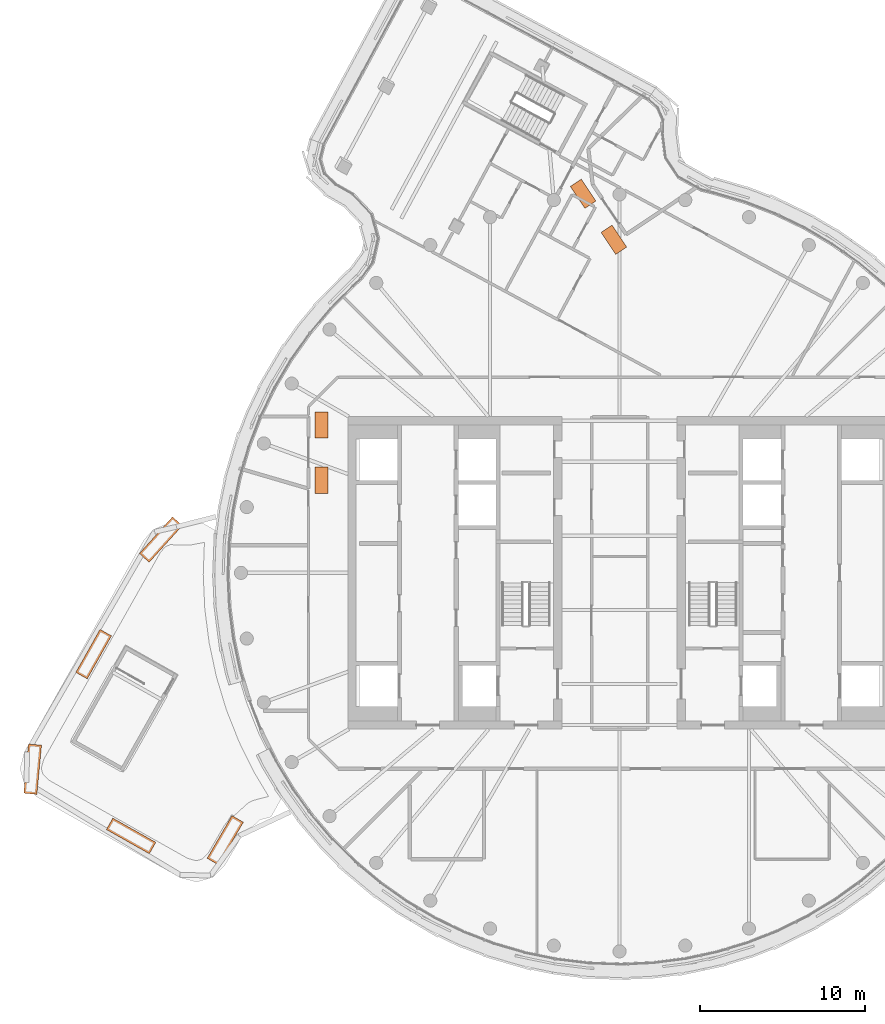
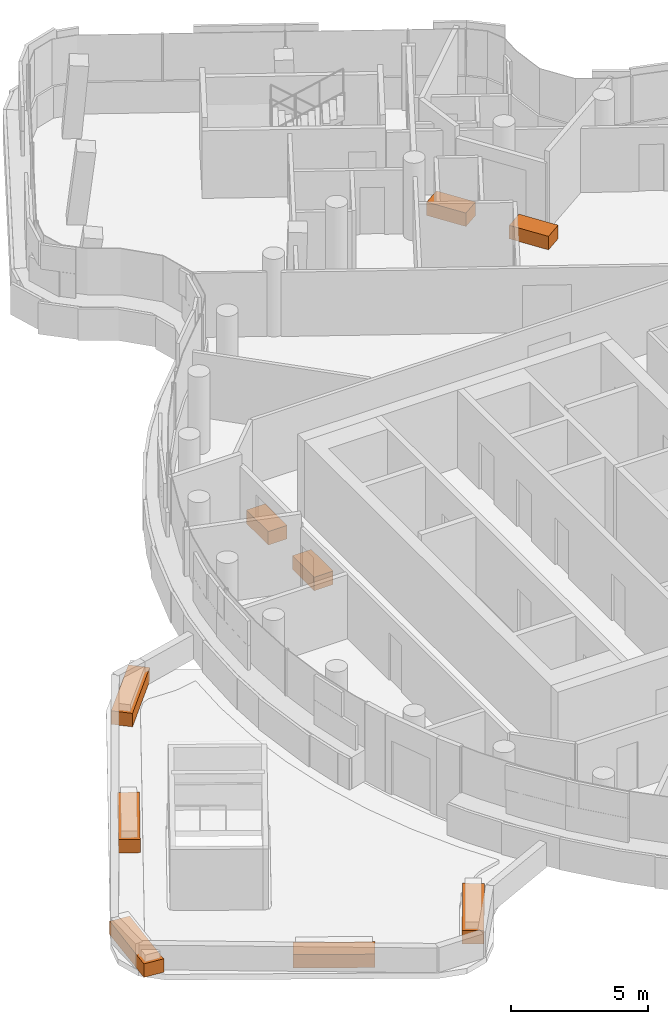
# One storey, part 22 of 22: 9 proxies.
"""IFC4 building model written with IfcOpenShell, lengths in metres."""

from ifc_helpers import new_model, si_unit, direction, frame, origin, origin_2d, place, context, subcontext, project, spatial, rectangle, extrude, material, type_object, element, save


model = new_model("IFC4")

# Units and contexts
model_context = context("Model", 3, precision=1e-05, world=origin(), true_north=direction((0.0, 1.0)))
body_context = subcontext(model_context, "Body", "Model", "MODEL_VIEW")
ifc_project = project(units=[si_unit("LENGTHUNIT", "METRE"), si_unit("AREAUNIT", "SQUARE_METRE"), si_unit("VOLUMEUNIT", "CUBIC_METRE"), si_unit("PLANEANGLEUNIT", "RADIAN"), si_unit("MASSUNIT", "GRAM", prefix="KILO")], contexts=[model_context])

# Site, building, storey
site_placement = place(None, origin())
site = spatial("IfcSite", under=ifc_project, at=site_placement, CompositionType="ELEMENT")
building_placement = place(site_placement, origin())
building = spatial("IfcBuilding", under=site, at=building_placement, Name="Tamarind Cross Interchange Tower", CompositionType="ELEMENT")
storey_placement = place(building_placement, frame((0.0, 0.0, 256.800048828125)))
storey = spatial("IfcBuildingStorey", under=building, at=storey_placement, Name="L65", CompositionType="ELEMENT", Elevation=256.800048828125)

# Proxies
ifc_material = material(Name="Concrete C30", Category="concrete")
building_element_proxy_type = type_object("IfcBuildingElementProxyType", Name="Planter", PredefinedType="USERDEFINED", material=ifc_material)
proxy_1_placement = place(storey_placement, origin())
element("IfcBuildingElementProxy", 1, at=proxy_1_placement, inside=storey, type_object=building_element_proxy_type, Name="PLT-L65-WG-L65-NNa-0", ObjectType="Planter", PredefinedType="USERDEFINED", context=body_context, shape_type="SweptSolid", body=[
    extrude(rectangle(XDim=1.60009765625, YDim=0.800048828125, at=origin_2d()), frame((-18.10009765625, 8.988037109375, 0.0), z_axis=(0.0, 0.0, 1.0), x_axis=(0.0, -1.0, 0.0)), (0.0, 0.0, 1.0), 0.60009765625),
])
proxy_2_placement = place(storey_placement, origin())
element("IfcBuildingElementProxy", 2, at=proxy_2_placement, inside=storey, type_object=building_element_proxy_type, Name="PLT-L65-WG-L65-NNa-1", ObjectType="Planter", PredefinedType="USERDEFINED", context=body_context, shape_type="SweptSolid", body=[
    extrude(rectangle(XDim=1.60009765625, YDim=0.800048828125, at=origin_2d()), frame((-18.10009765625, 5.6279296875, 0.0), z_axis=(0.0, 0.0, 1.0), x_axis=(0.0, -1.0, 0.0)), (0.0, 0.0, 1.0), 0.60009765625),
])
proxy_3_placement = place(storey_placement, origin())
element("IfcBuildingElementProxy", 3, at=proxy_3_placement, inside=storey, type_object=building_element_proxy_type, Name="PLT-L65-WG-L65-NNb-0", ObjectType="Planter", PredefinedType="USERDEFINED", context=body_context, shape_type="SweptSolid", body=[
    extrude(rectangle(XDim=1.60009765625, YDim=0.800048828125, at=origin_2d()), frame((-0.343505859375, 20.241943359375, 0.0), z_axis=(0.0, 0.0, 1.0), x_axis=(-0.55638263294, 0.830926209577, 0.0)), (0.0, 0.0, 1.0), 0.60009765625),
])
proxy_4_placement = place(storey_placement, origin())
element("IfcBuildingElementProxy", 4, at=proxy_4_placement, inside=storey, type_object=building_element_proxy_type, Name="PLT-L65-WG-L65-NNb-1", ObjectType="Planter", PredefinedType="USERDEFINED", context=body_context, shape_type="SweptSolid", body=[
    extrude(rectangle(XDim=1.60009765625, YDim=0.800048828125, at=origin_2d()), frame((-2.212890625, 23.033935546875, 0.0), z_axis=(0.0, 0.0, 1.0), x_axis=(-0.55638263294, 0.830926209577, 0.0)), (0.0, 0.0, 1.0), 0.60009765625),
])
proxy_5_placement = place(storey_placement, origin())
element("IfcBuildingElementProxy", 5, at=proxy_5_placement, inside=storey, type_object=building_element_proxy_type, Name="PLT-L65-RTW0-00", ObjectType="Planter", PredefinedType="USERDEFINED", context=body_context, shape_type="SweptSolid", body=[
    extrude(rectangle(XDim=3.0, YDim=0.800048828125, at=origin_2d()), frame((-27.87255859375, 2.023193359375, 0.0), z_axis=(0.0, 0.0, 1.0), x_axis=(-0.670843130547, -0.741599281417, 0.0)), (0.0, 0.0, 1.0), 0.60009765625),
])
proxy_6_placement = place(storey_placement, origin())
element("IfcBuildingElementProxy", 6, at=proxy_6_placement, inside=storey, type_object=building_element_proxy_type, Name="PLT-L65-RTW0-01", ObjectType="Planter", PredefinedType="USERDEFINED", context=body_context, shape_type="SweptSolid", body=[
    extrude(rectangle(XDim=3.0, YDim=0.800048828125, at=origin_2d()), frame((-31.956298828125, -4.9375, 0.0), z_axis=(0.0, 0.0, 1.0), x_axis=(-0.490928082303, -0.871200102162, 0.0)), (0.0, 0.0, 1.0), 0.60009765625),
])
proxy_7_placement = place(storey_placement, origin())
element("IfcBuildingElementProxy", 7, at=proxy_7_placement, inside=storey, type_object=building_element_proxy_type, Name="PLT-L65-RTW0-02", ObjectType="Planter", PredefinedType="USERDEFINED", context=body_context, shape_type="SweptSolid", body=[
    extrude(rectangle(XDim=3.0, YDim=0.800048828125, at=origin_2d()), frame((-35.661376953125, -11.928466796875, 0.0), z_axis=(0.0, 0.0, 1.0), x_axis=(-0.094136114617, -0.995559336215, 0.0)), (0.0, 0.0, 1.0), 0.60009765625),
])
proxy_8_placement = place(storey_placement, origin())
element("IfcBuildingElementProxy", 8, at=proxy_8_placement, inside=storey, type_object=building_element_proxy_type, Name="PLT-L65-RTW0-03", ObjectType="Planter", PredefinedType="USERDEFINED", context=body_context, shape_type="SweptSolid", body=[
    extrude(rectangle(XDim=3.0, YDim=0.800048828125, at=origin_2d()), frame((-29.68017578125, -15.9853515625, 0.0), z_axis=(0.0, 0.0, 1.0), x_axis=(0.871200102162, -0.490928082303, 0.0)), (0.0, 0.0, 1.0), 0.60009765625),
])
proxy_9_placement = place(storey_placement, origin())
element("IfcBuildingElementProxy", 9, at=proxy_9_placement, inside=storey, type_object=building_element_proxy_type, Name="PLT-L65-RTW0-04", ObjectType="Planter", PredefinedType="USERDEFINED", context=body_context, shape_type="SweptSolid", body=[
    extrude(rectangle(XDim=3.0, YDim=0.800048828125, at=origin_2d()), frame((-23.959716796875, -16.24755859375, 0.0), z_axis=(0.0, 0.0, 1.0), x_axis=(0.503460843002, 0.86401804354, 0.0)), (0.0, 0.0, 1.0), 0.60009765625),
])

save(model, "model.ifc")
